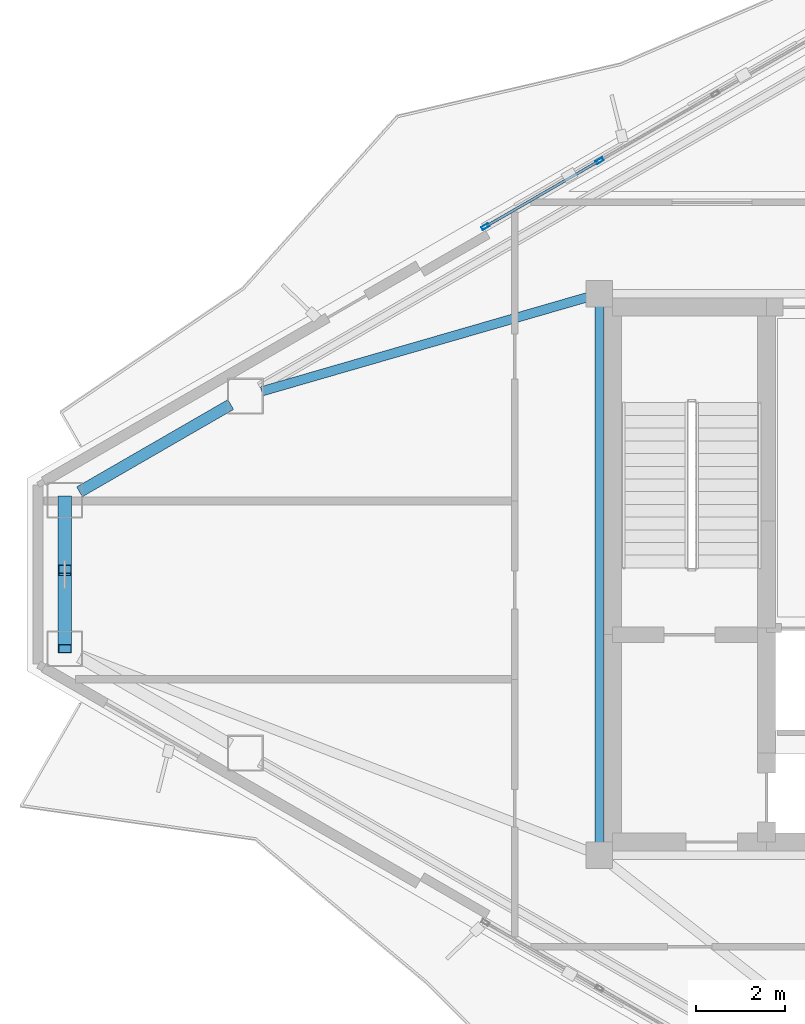
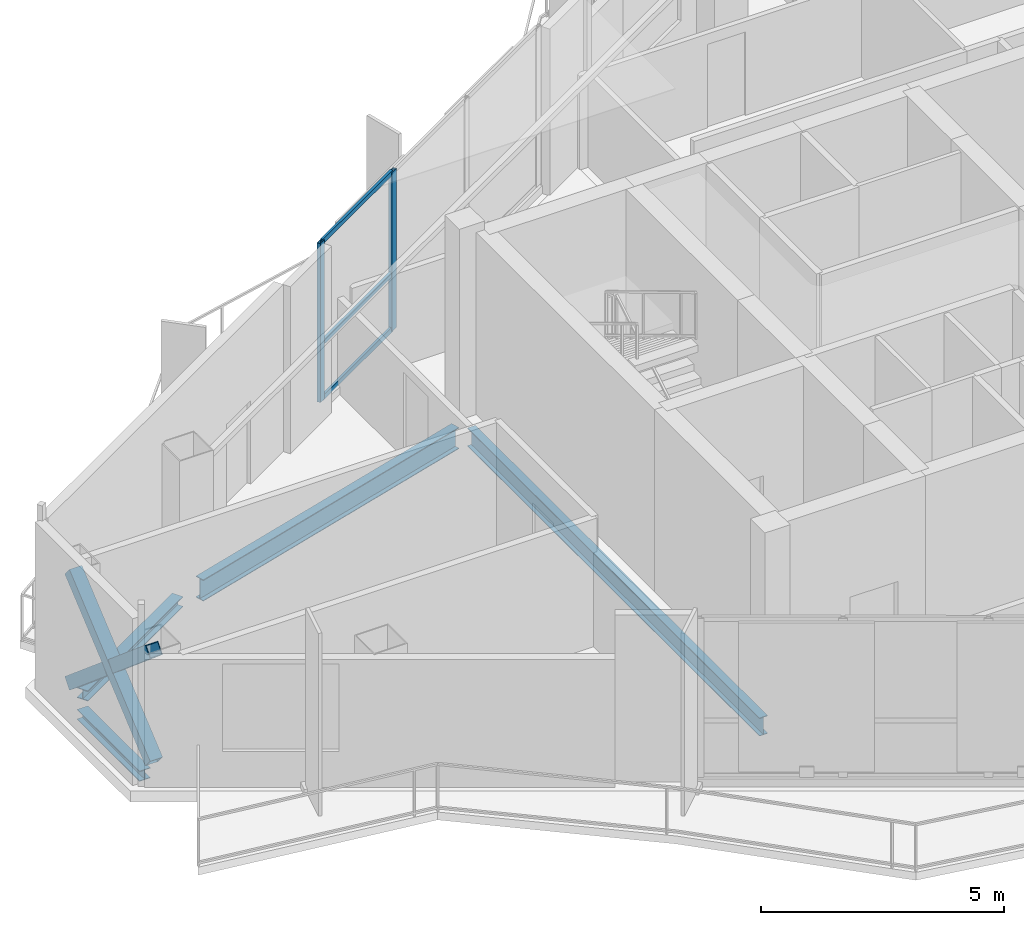
# One storey, part 6 of 15: 8 members, 4 beams, 1 element without a shape of its own.
"""IFC4 building model written with IfcOpenShell, lengths in metres."""

from ifc_helpers import new_model, si_unit, direction, frame, origin, origin_2d, place, context, subcontext, project, spatial, hollow_rectangle, i_section, extrude, material, layer, layer_set, material_profile, profile_set, type_object, element, aggregate, save


model = new_model("IFC4")

# Units and contexts
model_context = context("Model", 3, precision=1e-05, world=origin(), true_north=direction((0.0, 1.0)))
body_context = subcontext(model_context, "Body", "Model", "MODEL_VIEW")
ifc_project = project(units=[si_unit("LENGTHUNIT", "METRE"), si_unit("AREAUNIT", "SQUARE_METRE"), si_unit("VOLUMEUNIT", "CUBIC_METRE"), si_unit("PLANEANGLEUNIT", "RADIAN"), si_unit("MASSUNIT", "GRAM", prefix="KILO")], contexts=[model_context])

# Site, building, storey
site_placement = place(None, origin())
site = spatial("IfcSite", under=ifc_project, at=site_placement, CompositionType="ELEMENT")
building_placement = place(site_placement, origin())
building = spatial("IfcBuilding", under=site, at=building_placement, Name="Mersakhor Tower and Convention Hall", CompositionType="ELEMENT")
storey_placement = place(building_placement, frame((0.0, 0.0, 218.39990234375)))
storey = spatial("IfcBuildingStorey", under=building, at=storey_placement, Name="L61", CompositionType="ELEMENT", Elevation=218.39990234375)

# Beams
ifc_material_1 = material(Name="Steel S355", Category="steel")
ifc_material_profile_1 = material_profile(ifc_material_1, i_section(OverallWidth=0.19140625, OverallDepth=0.4599609375, WebThickness=0.010009765625, FlangeThickness=0.01611328125, at=origin_2d()), Name="UB 457x191x82")
ifc_profile_set_1 = profile_set([ifc_material_profile_1], Name="Steel S355")
beam_type_1 = type_object("IfcBeamType", Name="BM-FB-457", PredefinedType="BEAM", material=ifc_profile_set_1)
beam_1_placement = place(storey_placement, frame((21.89990234375, 20.72998046875, -0.510009765625), z_axis=(0.0, 1.0, 0.0), x_axis=(-1.0, 0.0, 0.0)))
element("IfcBeam", 1, at=beam_1_placement, inside=storey, type_object=beam_type_1, Name="L61 Core Ring Tie Beam CRB-1", PredefinedType="BEAM", context=body_context, shape_type="SweptSolid", body=[
    extrude(i_section(OverallWidth=0.19140625, OverallDepth=0.4599609375, WebThickness=0.010009765625, FlangeThickness=0.01611328125, at=origin_2d()), origin(), (0.0, 0.0, 1.0), 12.0400390625),
])
ifc_material_2 = material(Name="Steel S355", Category="steel")
ifc_material_profile_2 = material_profile(ifc_material_2, i_section(OverallWidth=0.2099609375, OverallDepth=0.53662109375, WebThickness=0.0107421875, FlangeThickness=0.017333984375, at=origin_2d()), Name="UB 533x210x101")
ifc_profile_set_2 = profile_set([ifc_material_profile_2], Name="Steel S355")
beam_type_2 = type_object("IfcBeamType", Name="BM-FB-533", PredefinedType="BEAM", material=ifc_profile_set_2)
beam_2_placement = place(storey_placement, frame((21.631103515625, 32.97216796875, -0.548095703125), z_axis=(-0.960673848118, -0.277679234987, 0.0), x_axis=(0.277679234987, -0.960673848118, 0.0)))
element("IfcBeam", 2, at=beam_2_placement, inside=storey, type_object=beam_type_2, Name="L61 Primary Floor Girder FG-1", PredefinedType="BEAM", context=body_context, shape_type="SweptSolid", body=[
    extrude(i_section(OverallWidth=0.2099609375, OverallDepth=0.53662109375, WebThickness=0.0107421875, FlangeThickness=0.017333984375, at=origin_2d()), origin(), (0.0, 0.0, 1.0), 7.605224609375),
])
ifc_material_3 = material(Name="Steel S355", Category="steel")
ifc_material_profile_3 = material_profile(ifc_material_3, i_section(OverallWidth=0.25634765625, OverallDepth=0.26025390625, WebThickness=0.01025390625, FlangeThickness=0.017333984375, at=origin_2d()), Name="UC 254x254x89")
ifc_profile_set_3 = profile_set([ifc_material_profile_3], Name="Steel S355")
beam_type_3 = type_object("IfcBeamType", Name="BM-SPD-UC254", PredefinedType="SPANDREL", material=ifc_profile_set_3)
beam_3_placement = place(storey_placement, frame((10.236572265625, 28.605224609375, -0.409912109375), z_axis=(0.866007153761, 0.500031608635, 0.0), x_axis=(-0.500031608635, 0.866007153761, 0.0)))
element("IfcBeam", 3, at=beam_3_placement, inside=storey, type_object=beam_type_3, Name="L61 Perimeter Spandrel Beam SPB-01", PredefinedType="SPANDREL", context=body_context, shape_type="SweptSolid", body=[
    extrude(i_section(OverallWidth=0.25634765625, OverallDepth=0.26025390625, WebThickness=0.01025390625, FlangeThickness=0.017333984375, at=origin_2d()), origin(), (0.0, 0.0, 1.0), 3.919189453125),
])
beam_4_placement = place(storey_placement, frame((9.907470703125, 25.464599609375, -0.409912109375), z_axis=(0.0, 1.0, 0.0), x_axis=(-1.0, 0.0, 0.0)))
element("IfcBeam", 4, at=beam_4_placement, inside=storey, type_object=beam_type_3, Name="L61 Perimeter Spandrel Beam SPB-12", PredefinedType="SPANDREL", context=body_context, shape_type="SweptSolid", body=[
    extrude(i_section(OverallWidth=0.25634765625, OverallDepth=0.26025390625, WebThickness=0.01025390625, FlangeThickness=0.017333984375, at=origin_2d()), origin(), (0.0, 0.0, 1.0), 2.57080078125),
])

# Curtain wall, members
ifc_material_4 = material(Name="Dark solar low-E aluminium curtain wall", Category="aluminium")
ifc_layer = layer(ifc_material_4, 0.199951171875)
ifc_layer_set = layer_set([ifc_layer], Name="Dark solar low-E aluminium curtain wall")
curtain_wall_type = type_object("IfcCurtainWallType", Name="CW-SYS-05", PredefinedType="USERDEFINED", material=ifc_layer_set)
curtain_wall_placement = place(storey_placement, origin())
curtain_wall = element("IfcCurtainWall", 5, at=curtain_wall_placement, inside=storey, type_object=curtain_wall_type, Name="L61 Dark-Glass Curtain Wall F1-B2", ObjectType="CURTAIN WALL", PredefinedType="USERDEFINED")
ifc_material_5 = material(Name="Anodised aluminium EN AW-6063 T6", Category="aluminium")
ifc_material_profile_4 = material_profile(ifc_material_5, hollow_rectangle(XDim=0.080078125, YDim=0.179931640625, WallThickness=0.008056640625, at=origin_2d()), Name="RHS 180x80x8")
ifc_profile_set_4 = profile_set([ifc_material_profile_4], Name="Anodised aluminium EN AW-6063 T6")
member_type_1 = type_object("IfcMemberType", Name="CWM-180x80", PredefinedType="MULLION", material=ifc_profile_set_4)
member_1_placement = place(storey_placement, frame((19.34375, 34.55615234375, 0.2001953125), z_axis=(0.0, 0.0, 1.0), x_axis=(-0.500007824483, 0.86602088627, 0.0)))
member_1 = element("IfcMember", 6, at=member_1_placement, type_object=member_type_1, Name="CW-05 mullion 1", PredefinedType="MULLION", context=body_context, shape_type="SweptSolid", body=[
    extrude(hollow_rectangle(XDim=0.080078125, YDim=0.179931640625, WallThickness=0.008056640625, at=origin_2d()), origin(), (0.0, 0.0, 1.0), 4.0),
])
member_2_placement = place(storey_placement, frame((21.906982421875, 36.035888671875, 0.2001953125), z_axis=(0.0, 0.0, 1.0), x_axis=(-0.500007824483, 0.86602088627, 0.0)))
member_2 = element("IfcMember", 7, at=member_2_placement, type_object=member_type_1, Name="CW-05 mullion 2", PredefinedType="MULLION", context=body_context, shape_type="SweptSolid", body=[
    extrude(hollow_rectangle(XDim=0.080078125, YDim=0.179931640625, WallThickness=0.008056640625, at=origin_2d()), origin(), (0.0, 0.0, 1.0), 4.0),
])
ifc_material_6 = material(Name="Anodised aluminium EN AW-6063 T6", Category="aluminium")
ifc_material_profile_5 = material_profile(ifc_material_6, hollow_rectangle(XDim=0.06005859375, YDim=0.1201171875, WallThickness=0.0048828125, at=origin_2d()), Name="RHS 120x60x5")
ifc_profile_set_5 = profile_set([ifc_material_profile_5], Name="Anodised aluminium EN AW-6063 T6")
member_type_2 = type_object("IfcMemberType", Name="CWT-120x60", PredefinedType="USERDEFINED", material=ifc_profile_set_5)
member_3_placement = place(storey_placement, frame((19.37841796875, 34.576171875, 0.22998046875), z_axis=(0.86604864135, 0.499959749196, 0.0), x_axis=(-0.499959749196, 0.86604864135, 0.0)))
member_3 = element("IfcMember", 8, at=member_3_placement, type_object=member_type_2, Name="CW-05 transom 1.1", ObjectType="TRANSOM", PredefinedType="USERDEFINED", context=body_context, shape_type="SweptSolid", body=[
    extrude(hollow_rectangle(XDim=0.06005859375, YDim=0.1201171875, WallThickness=0.0048828125, at=origin_2d()), origin(), (0.0, 0.0, 1.0), 2.879638671875),
])
member_4_placement = place(storey_placement, frame((19.37841796875, 34.576171875, 1.6201171875), z_axis=(0.86604864135, 0.499959749196, 0.0), x_axis=(-0.499959749196, 0.86604864135, 0.0)))
member_4 = element("IfcMember", 9, at=member_4_placement, type_object=member_type_2, Name="CW-05 transom 1.2", ObjectType="TRANSOM", PredefinedType="USERDEFINED", context=body_context, shape_type="SweptSolid", body=[
    extrude(hollow_rectangle(XDim=0.06005859375, YDim=0.1201171875, WallThickness=0.0048828125, at=origin_2d()), origin(), (0.0, 0.0, 1.0), 2.879638671875),
])
member_5_placement = place(storey_placement, frame((19.37841796875, 34.576171875, 4.170166015625), z_axis=(0.86604864135, 0.499959749196, 0.0), x_axis=(-0.499959749196, 0.86604864135, 0.0)))
member_5 = element("IfcMember", 10, at=member_5_placement, type_object=member_type_2, Name="CW-05 transom 1.3", ObjectType="TRANSOM", PredefinedType="USERDEFINED", context=body_context, shape_type="SweptSolid", body=[
    extrude(hollow_rectangle(XDim=0.06005859375, YDim=0.1201171875, WallThickness=0.0048828125, at=origin_2d()), origin(), (0.0, 0.0, 1.0), 2.879638671875),
])
aggregate(curtain_wall, [member_1, member_2, member_3, member_4, member_5])

# Members
ifc_material_7 = material(Name="Steel S355", Category="steel")
ifc_material_profile_6 = material_profile(ifc_material_7, hollow_rectangle(XDim=0.300048828125, YDim=0.300048828125, WallThickness=0.01611328125, at=origin_2d()), Name="SHS 300x300x16")
ifc_profile_set_6 = profile_set([ifc_material_profile_6], Name="Steel S355")
member_type_3 = type_object("IfcMemberType", Name="MB-BRC-SHS300", PredefinedType="BRACE", material=ifc_profile_set_6)
member_6_placement = place(storey_placement, frame((9.907470703125, 25.084716796875, 0.150146484375), z_axis=(0.0, 0.76430356423, 0.644856621045), x_axis=(-1.0, 0.0, 0.0)))
element("IfcMember", 11, at=member_6_placement, inside=storey, type_object=member_type_3, Name="L61 Chamfer Braced Frame Diagonal CB-3A", PredefinedType="BRACE", context=body_context, shape_type="SweptSolid", body=[
    extrude(hollow_rectangle(XDim=0.300048828125, YDim=0.300048828125, WallThickness=0.01611328125, at=origin_2d()), origin(), (0.0, 0.0, 1.0), 4.357666015625),
])
for number, where, z_axis, x_axis, name in (
    (12, (9.907470703125, 28.415283203125, 0.150146484375), (0.0, -0.764321285741, 0.644835616388), (1.0, 0.0, 0.0), "L61 Chamfer Braced Frame Diagonal CB-3B Lower Half"),
    (13, (9.907470703125, 26.627685546875, 1.658447265625), (0.0, -0.764321285741, 0.644835616388), (1.0, 0.0, 0.0), "L61 Chamfer Braced Frame Diagonal CB-3B Upper Half"),
):
    element("IfcMember", number, at=place(storey_placement, frame(where, z_axis=z_axis, x_axis=x_axis)), inside=storey, type_object=member_type_3, Name=name, PredefinedType="BRACE", context=body_context, shape_type="SweptSolid", body=[
        extrude(hollow_rectangle(XDim=0.300048828125, YDim=0.300048828125, WallThickness=0.01611328125, at=origin_2d()), origin(), (0.0, 0.0, 1.0), 2.018798828125),
    ])

save(model, "model.ifc")
